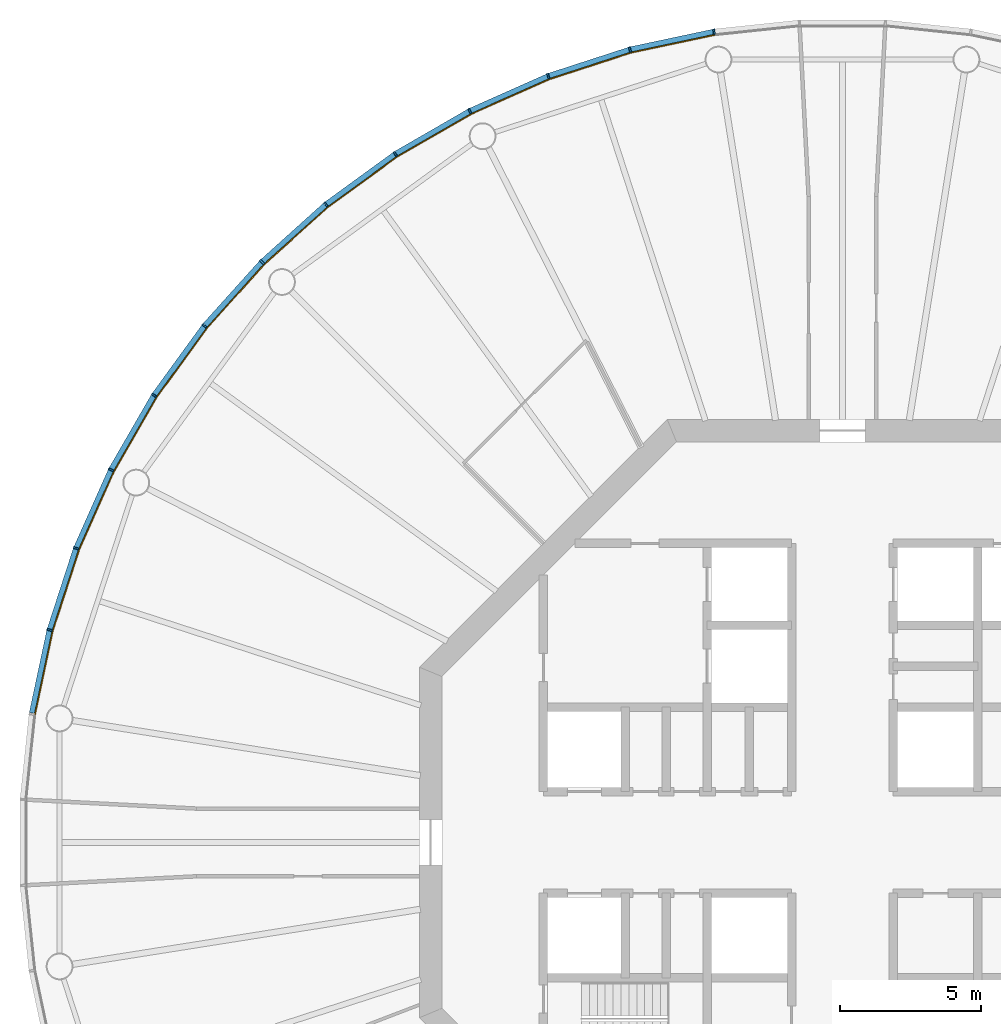
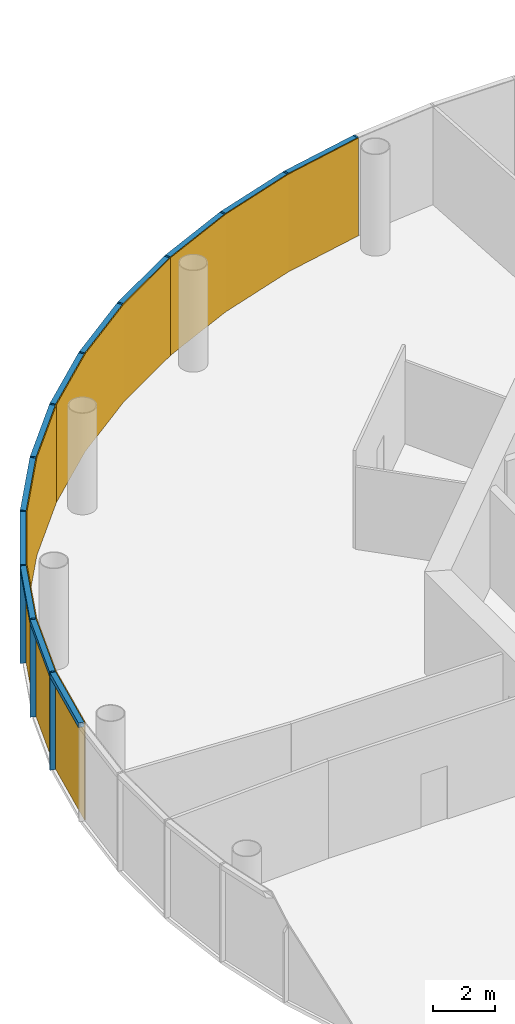
# One storey, part 10 of 13: 24 members, 4 curtain walls.
"""IFC4 building model written with IfcOpenShell, lengths in metres."""

from ifc_helpers import new_model, si_unit, direction, frame, origin, origin_2d, place, context, subcontext, project, spatial, polyline, rectangle, outline, extrude, material, layer, layer_set, material_profile, profile_set, type_object, element, aggregate, save


model = new_model("IFC4")

# Units and contexts
model_context = context("Model", 3, precision=1e-05, world=origin(), true_north=direction((0.0, 1.0)))
body_context = subcontext(model_context, "Body", "Model", "MODEL_VIEW")
ifc_project = project(units=[si_unit("LENGTHUNIT", "METRE"), si_unit("AREAUNIT", "SQUARE_METRE"), si_unit("VOLUMEUNIT", "CUBIC_METRE"), si_unit("PLANEANGLEUNIT", "RADIAN"), si_unit("MASSUNIT", "GRAM", prefix="KILO")], contexts=[model_context])

# Member
ifc_material_1 = material(Name="Anodised aluminium", Category="aluminium")
ifc_material_profile_1 = material_profile(ifc_material_1, rectangle(XDim=0.06494140625, YDim=0.195068359375, at=origin_2d()), Name="Mullion 65 x 195 mm anodised aluminium")
ifc_profile_set_1 = profile_set([ifc_material_profile_1], Name="Anodised aluminium")
member_type_1 = type_object("IfcMemberType", Name="Mullion 65 x 195 mm anodised aluminium", PredefinedType="MULLION", material=ifc_profile_set_1)
site_placement = place(None, origin())
building_placement = place(site_placement, origin())
storey_placement = place(building_placement, frame((0.0, 0.0, 298.0)))
member_1_placement = place(storey_placement, frame((85.4482421875, 108.7392578125, 0.0), z_axis=(0.0, 0.0, 1.0), x_axis=(-0.987688340595, -0.15643446504, 0.0)))
member_1 = element("IfcMember", 1, at=member_1_placement, type_object=member_type_1, Name="MULLION L68-15", PredefinedType="MULLION", context=body_context, shape_type="SweptSolid", body=[
    extrude(rectangle(XDim=0.06494140625, YDim=0.195068359375, at=origin_2d()), origin(), (0.0, 0.0, 1.0), 3.85009765625),
])

member_2_placement = place(storey_placement, frame((82.468994140625, 108.10595703125, 0.0), z_axis=(0.0, 0.0, 1.0), x_axis=(-0.965925826289, -0.258819045103, 0.0)))
member_2 = element("IfcMember", 2, at=member_2_placement, type_object=member_type_1, Name="MULLION L68-16", PredefinedType="MULLION", context=body_context, shape_type="SweptSolid", body=[
    extrude(rectangle(XDim=0.06494140625, YDim=0.195068359375, at=origin_2d()), origin(), (0.0, 0.0, 1.0), 3.85009765625),
])

member_3_placement = place(storey_placement, frame((79.572509765625, 107.164794921875, 0.0), z_axis=(0.0, 0.0, 1.0), x_axis=(-0.933580426497, -0.358367949545, 0.0)))
member_3 = element("IfcMember", 3, at=member_3_placement, type_object=member_type_1, Name="MULLION L68-17", PredefinedType="MULLION", context=body_context, shape_type="SweptSolid", body=[
    extrude(rectangle(XDim=0.06494140625, YDim=0.195068359375, at=origin_2d()), origin(), (0.0, 0.0, 1.0), 3.85009765625),
])

member_4_placement = place(storey_placement, frame((76.7900390625, 105.926025390625, 0.0), z_axis=(0.0, 0.0, 1.0), x_axis=(-0.891006524188, -0.45399049974, 0.0)))
member_4 = element("IfcMember", 4, at=member_4_placement, type_object=member_type_1, Name="MULLION L68-18", PredefinedType="MULLION", context=body_context, shape_type="SweptSolid", body=[
    extrude(rectangle(XDim=0.06494140625, YDim=0.195068359375, at=origin_2d()), origin(), (0.0, 0.0, 1.0), 3.85009765625),
])

member_5_placement = place(storey_placement, frame((74.15234375, 104.4033203125, 0.0), z_axis=(0.0, 0.0, 1.0), x_axis=(-0.838670567945, -0.544639035015, 0.0)))
member_5 = element("IfcMember", 5, at=member_5_placement, type_object=member_type_1, Name="MULLION L68-19", PredefinedType="MULLION", context=body_context, shape_type="SweptSolid", body=[
    extrude(rectangle(XDim=0.06494140625, YDim=0.195068359375, at=origin_2d()), origin(), (0.0, 0.0, 1.0), 3.85009765625),
])

member_6_placement = place(storey_placement, frame((71.688232421875, 102.613037109375, 0.0), z_axis=(0.0, 0.0, 1.0), x_axis=(-0.777145961457, -0.62932039105, 0.0)))
member_6 = element("IfcMember", 6, at=member_6_placement, type_object=member_type_1, Name="MULLION L68-20", PredefinedType="MULLION", context=body_context, shape_type="SweptSolid", body=[
    extrude(rectangle(XDim=0.06494140625, YDim=0.195068359375, at=origin_2d()), origin(), (0.0, 0.0, 1.0), 3.85009765625),
])

member_7_placement = place(storey_placement, frame((69.425048828125, 100.574951171875, 0.0), z_axis=(0.0, 0.0, 1.0), x_axis=(-0.707106781187, -0.707106781187, 0.0)))
member_7 = element("IfcMember", 7, at=member_7_placement, type_object=member_type_1, Name="MULLION L68-21", PredefinedType="MULLION", context=body_context, shape_type="SweptSolid", body=[
    extrude(rectangle(XDim=0.06494140625, YDim=0.195068359375, at=origin_2d()), origin(), (0.0, 0.0, 1.0), 3.85009765625),
])

member_8_placement = place(storey_placement, frame((67.386962890625, 98.311767578125, 0.0), z_axis=(0.0, 0.0, 1.0), x_axis=(-0.62932039105, -0.777145961457, 0.0)))
member_8 = element("IfcMember", 8, at=member_8_placement, type_object=member_type_1, Name="MULLION L68-22", PredefinedType="MULLION", context=body_context, shape_type="SweptSolid", body=[
    extrude(rectangle(XDim=0.06494140625, YDim=0.195068359375, at=origin_2d()), origin(), (0.0, 0.0, 1.0), 3.85009765625),
])

member_9_placement = place(storey_placement, frame((65.5966796875, 95.84765625, 0.0), z_axis=(0.0, 0.0, 1.0), x_axis=(-0.544639035015, -0.838670567945, 0.0)))
member_9 = element("IfcMember", 9, at=member_9_placement, type_object=member_type_1, Name="MULLION L68-23", PredefinedType="MULLION", context=body_context, shape_type="SweptSolid", body=[
    extrude(rectangle(XDim=0.06494140625, YDim=0.195068359375, at=origin_2d()), origin(), (0.0, 0.0, 1.0), 3.85009765625),
])

member_10_placement = place(storey_placement, frame((64.073974609375, 93.2099609375, 0.0), z_axis=(0.0, 0.0, 1.0), x_axis=(-0.45399049974, -0.891006524188, 0.0)))
member_10 = element("IfcMember", 10, at=member_10_placement, type_object=member_type_1, Name="MULLION L68-24", PredefinedType="MULLION", context=body_context, shape_type="SweptSolid", body=[
    extrude(rectangle(XDim=0.06494140625, YDim=0.195068359375, at=origin_2d()), origin(), (0.0, 0.0, 1.0), 3.85009765625),
])

member_11_placement = place(storey_placement, frame((62.835205078125, 90.427490234375, 0.0), z_axis=(0.0, 0.0, 1.0), x_axis=(-0.358367949545, -0.933580426497, 0.0)))
member_11 = element("IfcMember", 11, at=member_11_placement, type_object=member_type_1, Name="MULLION L68-25", PredefinedType="MULLION", context=body_context, shape_type="SweptSolid", body=[
    extrude(rectangle(XDim=0.06494140625, YDim=0.195068359375, at=origin_2d()), origin(), (0.0, 0.0, 1.0), 3.85009765625),
])

member_12_placement = place(storey_placement, frame((61.89404296875, 87.531005859375, 0.0), z_axis=(0.0, 0.0, 1.0), x_axis=(-0.258819045103, -0.965925826289, 0.0)))
member_12 = element("IfcMember", 12, at=member_12_placement, type_object=member_type_1, Name="MULLION L68-26", PredefinedType="MULLION", context=body_context, shape_type="SweptSolid", body=[
    extrude(rectangle(XDim=0.06494140625, YDim=0.195068359375, at=origin_2d()), origin(), (0.0, 0.0, 1.0), 3.85009765625),
])

ifc_material_2 = material(Name="Anodised aluminium", Category="aluminium")
ifc_material_profile_2 = material_profile(ifc_material_2, rectangle(XDim=0.195068359375, YDim=0.179931640625, at=origin_2d()), Name="Transom 180 x 195 mm anodised aluminium")
ifc_profile_set_2 = profile_set([ifc_material_profile_2], Name="Anodised aluminium")
member_type_2 = type_object("IfcMemberType", Name="Transom 180 x 195 mm anodised aluminium", PredefinedType="USERDEFINED", material=ifc_profile_set_2)
member_13_placement = place(storey_placement, frame((85.411376953125, 108.731689453125, 3.760009765625), z_axis=(-0.978141510112, -0.207940342877, 0.0), x_axis=(0.207940342877, -0.978141510112, 0.0)))
member_13 = element("IfcMember", 13, at=member_13_placement, type_object=member_type_2, Name="TRANSOM L68-15", ObjectType="TRANSOM", PredefinedType="USERDEFINED", context=body_context, shape_type="SweptSolid", body=[
    extrude(rectangle(XDim=0.195068359375, YDim=0.179931640625, at=origin_2d()), origin(), (0.0, 0.0, 1.0), 2.970458984375),
])

member_14_placement = place(storey_placement, frame((82.43310546875, 108.094482421875, 3.760009765625), z_axis=(-0.951047960094, -0.309043326415, 0.0), x_axis=(0.309043326415, -0.951047960094, 0.0)))
member_14 = element("IfcMember", 14, at=member_14_placement, type_object=member_type_2, Name="TRANSOM L68-16", ObjectType="TRANSOM", PredefinedType="USERDEFINED", context=body_context, shape_type="SweptSolid", body=[
    extrude(rectangle(XDim=0.195068359375, YDim=0.179931640625, at=origin_2d()), origin(), (0.0, 0.0, 1.0), 2.970458984375),
])

member_15_placement = place(storey_placement, frame((79.5380859375, 107.149658203125, 3.760009765625), z_axis=(-0.913550406593, -0.406725527369, 0.0), x_axis=(0.406725527369, -0.913550406593, 0.0)))
member_15 = element("IfcMember", 15, at=member_15_placement, type_object=member_type_2, Name="TRANSOM L68-17", ObjectType="TRANSOM", PredefinedType="USERDEFINED", context=body_context, shape_type="SweptSolid", body=[
    extrude(rectangle(XDim=0.195068359375, YDim=0.179931640625, at=origin_2d()), origin(), (0.0, 0.0, 1.0), 2.970703125),
])

member_16_placement = place(storey_placement, frame((76.75732421875, 105.907470703125, 3.760009765625), z_axis=(-0.866009025146, -0.500028367561, 0.0), x_axis=(0.500028367561, -0.866009025146, 0.0)))
member_16 = element("IfcMember", 16, at=member_16_placement, type_object=member_type_2, Name="TRANSOM L68-18", ObjectType="TRANSOM", PredefinedType="USERDEFINED", context=body_context, shape_type="SweptSolid", body=[
    extrude(rectangle(XDim=0.195068359375, YDim=0.179931640625, at=origin_2d()), origin(), (0.0, 0.0, 1.0), 2.970458984375),
])

member_17_placement = place(storey_placement, frame((74.121826171875, 104.381103515625, 3.760009765625), z_axis=(-0.809030990733, -0.587765987476, 0.0), x_axis=(0.587765987476, -0.809030990733, 0.0)))
member_17 = element("IfcMember", 17, at=member_17_placement, type_object=member_type_2, Name="TRANSOM L68-19", ObjectType="TRANSOM", PredefinedType="USERDEFINED", context=body_context, shape_type="SweptSolid", body=[
    extrude(rectangle(XDim=0.195068359375, YDim=0.179931640625, at=origin_2d()), origin(), (0.0, 0.0, 1.0), 2.97021484375),
])

member_18_placement = place(storey_placement, frame((71.660400390625, 102.587890625, 3.760009765625), z_axis=(-0.743163354343, -0.669110027395, 0.0), x_axis=(0.669110027395, -0.743163354343, 0.0)))
member_18 = element("IfcMember", 18, at=member_18_placement, type_object=member_type_2, Name="TRANSOM L68-20", ObjectType="TRANSOM", PredefinedType="USERDEFINED", context=body_context, shape_type="SweptSolid", body=[
    extrude(rectangle(XDim=0.195068359375, YDim=0.179931640625, at=origin_2d()), origin(), (0.0, 0.0, 1.0), 2.970458984375),
])

member_19_placement = place(storey_placement, frame((69.399658203125, 100.547119140625, 3.760009765625), z_axis=(-0.669110027395, -0.743163354343, 0.0), x_axis=(0.743163354343, -0.669110027395, 0.0)))
member_19 = element("IfcMember", 19, at=member_19_placement, type_object=member_type_2, Name="TRANSOM L68-21", ObjectType="TRANSOM", PredefinedType="USERDEFINED", context=body_context, shape_type="SweptSolid", body=[
    extrude(rectangle(XDim=0.195068359375, YDim=0.179931640625, at=origin_2d()), origin(), (0.0, 0.0, 1.0), 2.970458984375),
])

member_20_placement = place(storey_placement, frame((67.36474609375, 98.28125, 3.760009765625), z_axis=(-0.587765987476, -0.809030990733, 0.0), x_axis=(0.809030990733, -0.587765987476, 0.0)))
member_20 = element("IfcMember", 20, at=member_20_placement, type_object=member_type_2, Name="TRANSOM L68-22", ObjectType="TRANSOM", PredefinedType="USERDEFINED", context=body_context, shape_type="SweptSolid", body=[
    extrude(rectangle(XDim=0.195068359375, YDim=0.179931640625, at=origin_2d()), origin(), (0.0, 0.0, 1.0), 2.97021484375),
])

member_21_placement = place(storey_placement, frame((65.577880859375, 95.815185546875, 3.760009765625), z_axis=(-0.500028367561, -0.866009025146, 0.0), x_axis=(0.866009025146, -0.500028367561, 0.0)))
member_21 = element("IfcMember", 21, at=member_21_placement, type_object=member_type_2, Name="TRANSOM L68-23", ObjectType="TRANSOM", PredefinedType="USERDEFINED", context=body_context, shape_type="SweptSolid", body=[
    extrude(rectangle(XDim=0.195068359375, YDim=0.179931640625, at=origin_2d()), origin(), (0.0, 0.0, 1.0), 2.970458984375),
])

member_22_placement = place(storey_placement, frame((64.05859375, 93.17578125, 3.760009765625), z_axis=(-0.406725527369, -0.913550406593, 0.0), x_axis=(0.913550406593, -0.406725527369, 0.0)))
member_22 = element("IfcMember", 22, at=member_22_placement, type_object=member_type_2, Name="TRANSOM L68-24", ObjectType="TRANSOM", PredefinedType="USERDEFINED", context=body_context, shape_type="SweptSolid", body=[
    extrude(rectangle(XDim=0.195068359375, YDim=0.179931640625, at=origin_2d()), origin(), (0.0, 0.0, 1.0), 2.970703125),
])

member_23_placement = place(storey_placement, frame((62.823486328125, 90.391845703125, 3.760009765625), z_axis=(-0.309043326415, -0.951047960094, 0.0), x_axis=(0.951047960094, -0.309043326415, 0.0)))
member_23 = element("IfcMember", 23, at=member_23_placement, type_object=member_type_2, Name="TRANSOM L68-25", ObjectType="TRANSOM", PredefinedType="USERDEFINED", context=body_context, shape_type="SweptSolid", body=[
    extrude(rectangle(XDim=0.195068359375, YDim=0.179931640625, at=origin_2d()), origin(), (0.0, 0.0, 1.0), 2.970458984375),
])

member_24_placement = place(storey_placement, frame((61.885986328125, 87.494140625, 3.760009765625), z_axis=(-0.207940342877, -0.978141510112, 0.0), x_axis=(0.978141510112, -0.207940342877, 0.0)))
member_24 = element("IfcMember", 24, at=member_24_placement, type_object=member_type_2, Name="TRANSOM L68-26", ObjectType="TRANSOM", PredefinedType="USERDEFINED", context=body_context, shape_type="SweptSolid", body=[
    extrude(rectangle(XDim=0.195068359375, YDim=0.179931640625, at=origin_2d()), origin(), (0.0, 0.0, 1.0), 2.970458984375),
])

# Site, building, storey
site = spatial("IfcSite", under=ifc_project, at=site_placement, CompositionType="ELEMENT")
building = spatial("IfcBuilding", under=site, at=building_placement, Name="Entoto Ring Tower", CompositionType="ELEMENT")
storey = spatial("IfcBuildingStorey", under=building, at=storey_placement, Name="L68", CompositionType="ELEMENT", Elevation=298.0)

# Curtain wall
ifc_material_3 = material(Name="Clear low-iron glass", Category="glass")
ifc_layer = layer(ifc_material_3, 0.033935546875)
ifc_layer_set = layer_set([ifc_layer], Name="Clear low-iron glass")
curtain_wall_type = type_object("IfcCurtainWallType", Name="Curtain wall system CW5 glazing 34 mm", PredefinedType="NOTDEFINED", material=ifc_layer_set)
curtain_wall_1_placement = place(storey_placement, origin())
curtain_wall_1 = element("IfcCurtainWall", 25, at=curtain_wall_1_placement, inside=storey, type_object=curtain_wall_type, Name="CW5 L68-06", PredefinedType="NOTDEFINED", context=body_context, shape_type="SweptSolid", body=[
    extrude(outline(polyline([(85.46337890625, 108.64306640625), (82.494140625, 108.011962890625), (79.607421875, 107.07373046875), (76.834228515625, 105.839111328125), (76.849853515625, 105.808837890625), (79.61962890625, 107.0419921875), (82.503173828125, 107.97900390625), (85.46875, 108.609375), (85.46337890625, 108.64306640625)])), origin(), (0.0, 0.0, 1.0), 3.85009765625),
])

aggregate(curtain_wall_1, [member_1, member_2, member_3, member_13, member_14, member_15])

curtain_wall_2_placement = place(storey_placement, origin())
curtain_wall_2 = element("IfcCurtainWall", 26, at=curtain_wall_2_placement, inside=storey, type_object=curtain_wall_type, Name="CW5 L68-07", PredefinedType="NOTDEFINED", context=body_context, shape_type="SweptSolid", body=[
    extrude(outline(polyline([(76.834228515625, 105.839111328125), (74.20556640625, 104.321533203125), (71.749755859375, 102.537353515625), (69.493896484375, 100.506103515625), (69.51806640625, 100.48193359375), (71.771240234375, 102.5107421875), (74.22412109375, 104.29296875), (76.849853515625, 105.808837890625), (76.834228515625, 105.839111328125)])), origin(), (0.0, 0.0, 1.0), 3.85009765625),
])

aggregate(curtain_wall_2, [member_4, member_5, member_6, member_16, member_17, member_18])

curtain_wall_3_placement = place(storey_placement, origin())
curtain_wall_3 = element("IfcCurtainWall", 27, at=curtain_wall_3_placement, inside=storey, type_object=curtain_wall_type, Name="CW5 L68-08", PredefinedType="NOTDEFINED", context=body_context, shape_type="SweptSolid", body=[
    extrude(outline(polyline([(69.493896484375, 100.506103515625), (67.462646484375, 98.250244140625), (65.678466796875, 95.79443359375), (64.160888671875, 93.165771484375), (64.191162109375, 93.150146484375), (65.70703125, 95.77587890625), (67.4892578125, 98.228759765625), (69.51806640625, 100.48193359375), (69.493896484375, 100.506103515625)])), origin(), (0.0, 0.0, 1.0), 3.85009765625),
])

aggregate(curtain_wall_3, [member_7, member_8, member_9, member_19, member_20, member_21])

curtain_wall_4_placement = place(storey_placement, origin())
curtain_wall_4 = element("IfcCurtainWall", 28, at=curtain_wall_4_placement, inside=storey, type_object=curtain_wall_type, Name="CW5 L68-09", PredefinedType="NOTDEFINED", context=body_context, shape_type="SweptSolid", body=[
    extrude(outline(polyline([(64.160888671875, 93.165771484375), (62.92626953125, 90.392578125), (61.988037109375, 87.505859375), (61.35693359375, 84.53662109375), (61.390625, 84.53125), (62.02099609375, 87.496826171875), (62.9580078125, 90.38037109375), (64.191162109375, 93.150146484375), (64.160888671875, 93.165771484375)])), origin(), (0.0, 0.0, 1.0), 3.85009765625),
])

aggregate(curtain_wall_4, [member_10, member_11, member_12, member_22, member_23, member_24])

save(model, "model.ifc")
